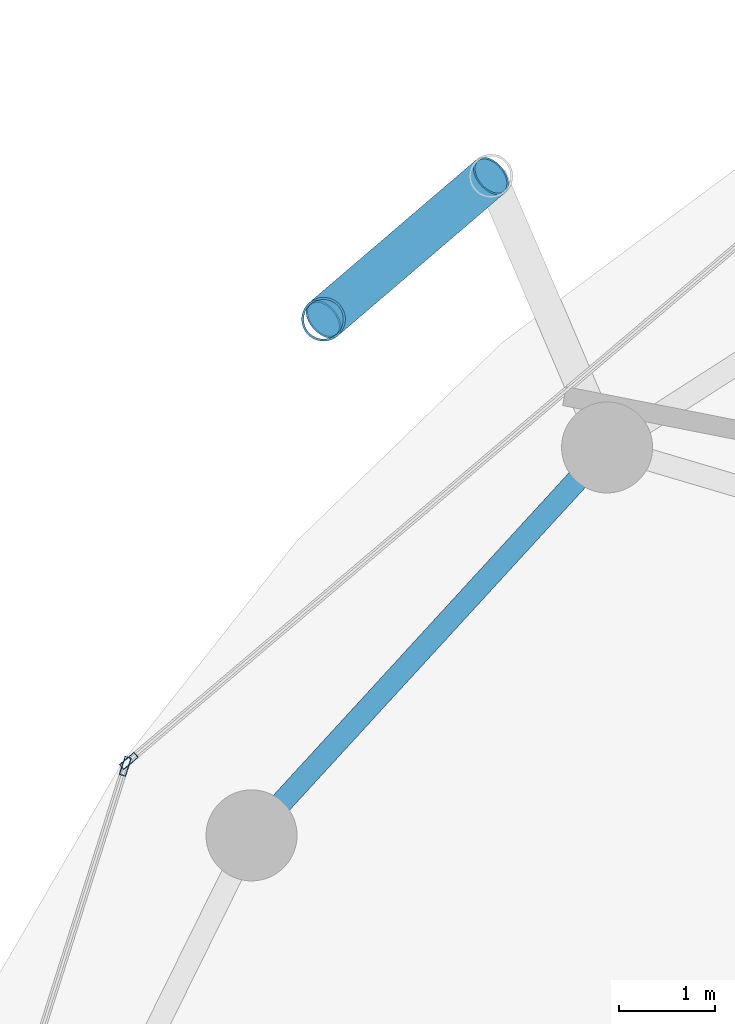
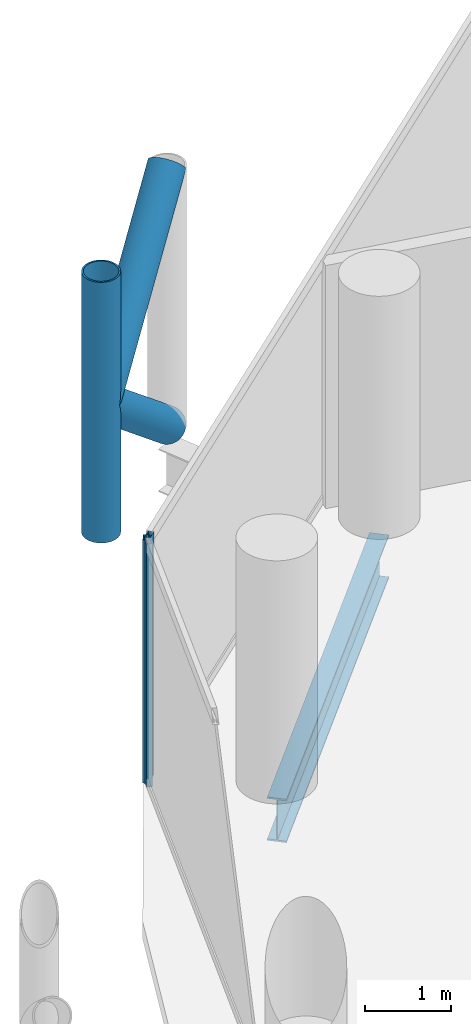
# One storey, part 13 of 26: 5 members, 1 beam, 2 elements without a shape of their own.
"""IFC4 building model written with IfcOpenShell, lengths in metres."""

from ifc_helpers import new_model, si_unit, direction, frame, origin, origin_2d, place, context, subcontext, project, spatial, hollow_rectangle, hollow_circle, i_section, extrude, material, layer, layer_set, material_profile, profile_set, type_object, element, aggregate, save


model = new_model("IFC4")

# Units and contexts
model_context = context("Model", 3, precision=1e-05, world=origin(), true_north=direction((0.0, 1.0)))
body_context = subcontext(model_context, "Body", "Model", "MODEL_VIEW")
ifc_project = project(units=[si_unit("LENGTHUNIT", "METRE"), si_unit("AREAUNIT", "SQUARE_METRE"), si_unit("VOLUMEUNIT", "CUBIC_METRE"), si_unit("PLANEANGLEUNIT", "RADIAN"), si_unit("MASSUNIT", "GRAM", prefix="KILO")], contexts=[model_context])

# Site, building, storey
site_placement = place(None, origin())
site = spatial("IfcSite", under=ifc_project, at=site_placement, CompositionType="ELEMENT")
building_placement = place(site_placement, origin())
building = spatial("IfcBuilding", under=site, at=building_placement, Name="Nuhasar Tower", CompositionType="ELEMENT")
storey_placement = place(building_placement, frame((0.0, 0.0, 129.35009765625)))
storey = spatial("IfcBuildingStorey", under=building, at=storey_placement, Name="L30", CompositionType="ELEMENT", Elevation=129.35009765625)

# Beam
ifc_material_1 = material(Name="Steel S355", Category="steel")
ifc_material_profile_1 = material_profile(ifc_material_1, i_section(OverallWidth=0.22998046875, OverallDepth=0.616943359375, WebThickness=0.01318359375, FlangeThickness=0.022216796875, at=origin_2d()), Name="W24X94")
ifc_profile_set_1 = profile_set([ifc_material_profile_1], Name="Steel S355")
beam_type = type_object("IfcBeamType", Name="BM-RING-W24X94", PredefinedType="SPANDREL", material=ifc_profile_set_1)
beam_placement = place(storey_placement, frame((22.489013671875, 40.6240234375, -0.55908203125), z_axis=(-0.675654174897, -0.737218716491, 0.0), x_axis=(0.737218716491, -0.675654174897, 0.0)))
element("IfcBeam", 1, at=beam_placement, inside=storey, type_object=beam_type, Name="L30 Perimeter Ring Spandrel 10", PredefinedType="SPANDREL", context=body_context, shape_type="SweptSolid", body=[
    extrude(i_section(OverallWidth=0.22998046875, OverallDepth=0.616943359375, WebThickness=0.01318359375, FlangeThickness=0.022216796875, at=origin_2d()), origin(), (0.0, 0.0, 1.0), 5.492431640625),
])

# Curtain wall, member
ifc_material_2 = material(Name="Aluminium 6063-T6", Category="aluminium")
ifc_layer = layer(ifc_material_2, 0.199951171875)
ifc_layer_set = layer_set([ifc_layer], Name="Aluminium 6063-T6")
curtain_wall_type = type_object("IfcCurtainWallType", Name="CW-Z2-HTL", PredefinedType="NOTDEFINED", material=ifc_layer_set)
curtain_wall_1_placement = place(storey_placement, origin())
curtain_wall_1 = element("IfcCurtainWall", 2, at=curtain_wall_1_placement, inside=storey, type_object=curtain_wall_type, Name="L30 Unitised Curtain Wall 05", PredefinedType="NOTDEFINED")
ifc_material_profile_2 = material_profile(ifc_material_2, hollow_rectangle(XDim=0.070068359375, YDim=0.199951171875, WallThickness=0.0048828125, at=origin_2d()), Name="CWM-3")
ifc_profile_set_2 = profile_set([ifc_material_profile_2], Name="Aluminium 6063-T6")
member_type_1 = type_object("IfcMemberType", Name="CW-MUL-S3", PredefinedType="MULLION", material=ifc_profile_set_2)
member_1_placement = place(storey_placement, frame((17.497802734375, 37.3525390625, 0.0), z_axis=(0.0, 0.0, 1.0), x_axis=(0.646374438324, -0.763020370292, 0.0)))
member_1 = element("IfcMember", 3, at=member_1_placement, type_object=member_type_1, Name="CW-Z2 mullion 2", PredefinedType="MULLION", context=body_context, shape_type="SweptSolid", body=[
    extrude(hollow_rectangle(XDim=0.070068359375, YDim=0.199951171875, WallThickness=0.0048828125, at=origin_2d()), origin(), (0.0, 0.0, 1.0), 3.449951171875),
])
aggregate(curtain_wall_1, [member_1])

curtain_wall_2_placement = place(storey_placement, origin())
curtain_wall_2 = element("IfcCurtainWall", 4, at=curtain_wall_2_placement, inside=storey, type_object=curtain_wall_type, Name="L30 Unitised Curtain Wall 06", PredefinedType="NOTDEFINED")
member_2_placement = place(storey_placement, frame((17.46044921875, 37.296630859375, 0.0), z_axis=(0.0, 0.0, 1.0), x_axis=(0.953433389233, -0.301603667577, 0.0)))
member_2 = element("IfcMember", 5, at=member_2_placement, type_object=member_type_1, Name="CW-Z2 mullion 1", PredefinedType="MULLION", context=body_context, shape_type="SweptSolid", body=[
    extrude(hollow_rectangle(XDim=0.070068359375, YDim=0.199951171875, WallThickness=0.0048828125, at=origin_2d()), origin(), (0.0, 0.0, 1.0), 3.449951171875),
])
aggregate(curtain_wall_2, [member_2])

# Members
ifc_material_3 = material(Name="Steel S460", Category="steel")
ifc_material_profile_3 = material_profile(ifc_material_3, hollow_circle(Radius=0.228515625, WallThickness=0.022216796875, at=origin_2d()), Name="HSS457X22.2")
ifc_profile_set_3 = profile_set([ifc_material_profile_3], Name="Steel S460")
member_type_2 = type_object("IfcMemberType", Name="EXO-BRONZE-457", PredefinedType="BRACE", material=ifc_profile_set_3)
member_3_placement = place(storey_placement, frame((19.529052734375, 41.9619140625, 0.0), z_axis=(0.0, 0.0, 1.0), x_axis=(1.0, 0.0, 0.0)))
element("IfcMember", 6, at=member_3_placement, inside=storey, type_object=member_type_2, Name="L30 Exoskeleton Chord Column EC-05B", PredefinedType="BRACE", context=body_context, shape_type="SweptSolid", body=[
    extrude(hollow_circle(Radius=0.228515625, WallThickness=0.022216796875, at=origin_2d()), origin(), (0.0, 0.0, 1.0), 3.699951171875),
])
member_4_placement = place(storey_placement, frame((21.277099609375, 43.45703125, 0.0), z_axis=(-0.592201065785, -0.506513872468, 0.626690988192), x_axis=(0.649986859795, -0.759945446788, 0.0)))
element("IfcMember", 7, at=member_4_placement, inside=storey, type_object=member_type_2, Name="L30 Bronze Diagrid Brace W1-05", PredefinedType="BRACE", context=body_context, shape_type="SweptSolid", body=[
    extrude(hollow_circle(Radius=0.228515625, WallThickness=0.022216796875, at=origin_2d()), origin(), (0.0, 0.0, 1.0), 2.95166015625),
])
member_5_placement = place(storey_placement, frame((19.529052734375, 41.9619140625, 1.849853515625), z_axis=(0.592170370358, 0.506487618445, 0.626741210415), x_axis=(-0.649986859795, 0.759945446788, 0.0)))
element("IfcMember", 8, at=member_5_placement, inside=storey, type_object=member_type_2, Name="L30 Bronze Diagrid Brace W2-05", PredefinedType="BRACE", context=body_context, shape_type="SweptSolid", body=[
    extrude(hollow_circle(Radius=0.228515625, WallThickness=0.022216796875, at=origin_2d()), origin(), (0.0, 0.0, 1.0), 2.951904296875),
])

save(model, "model.ifc")
